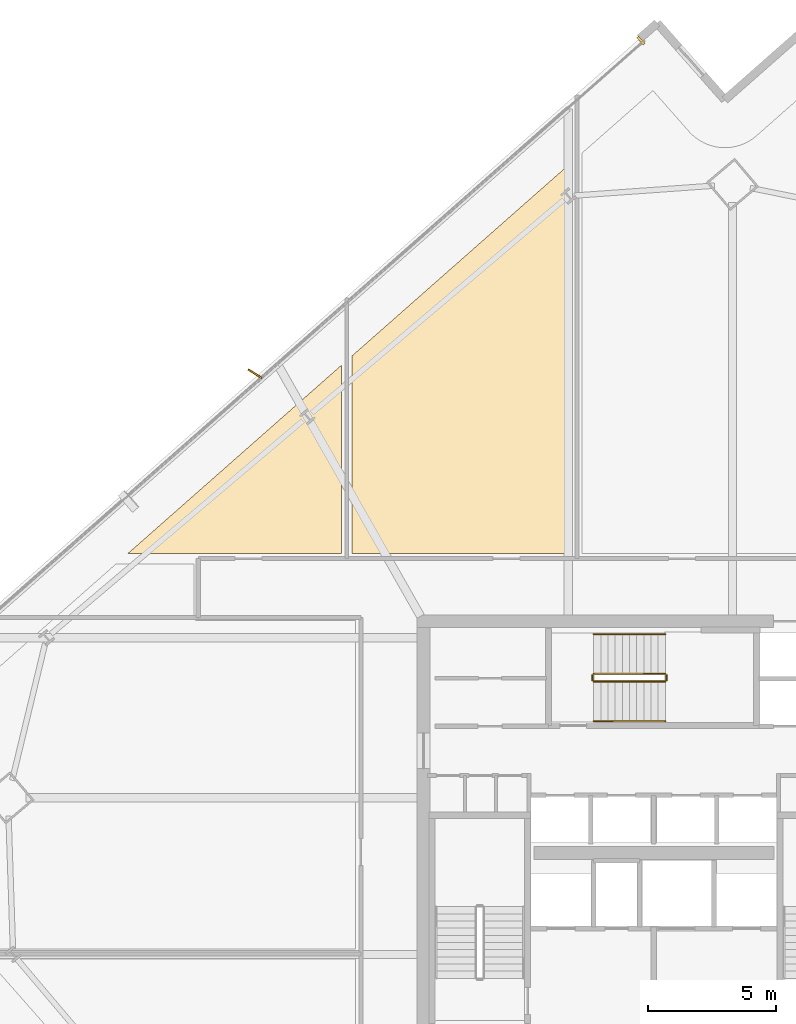
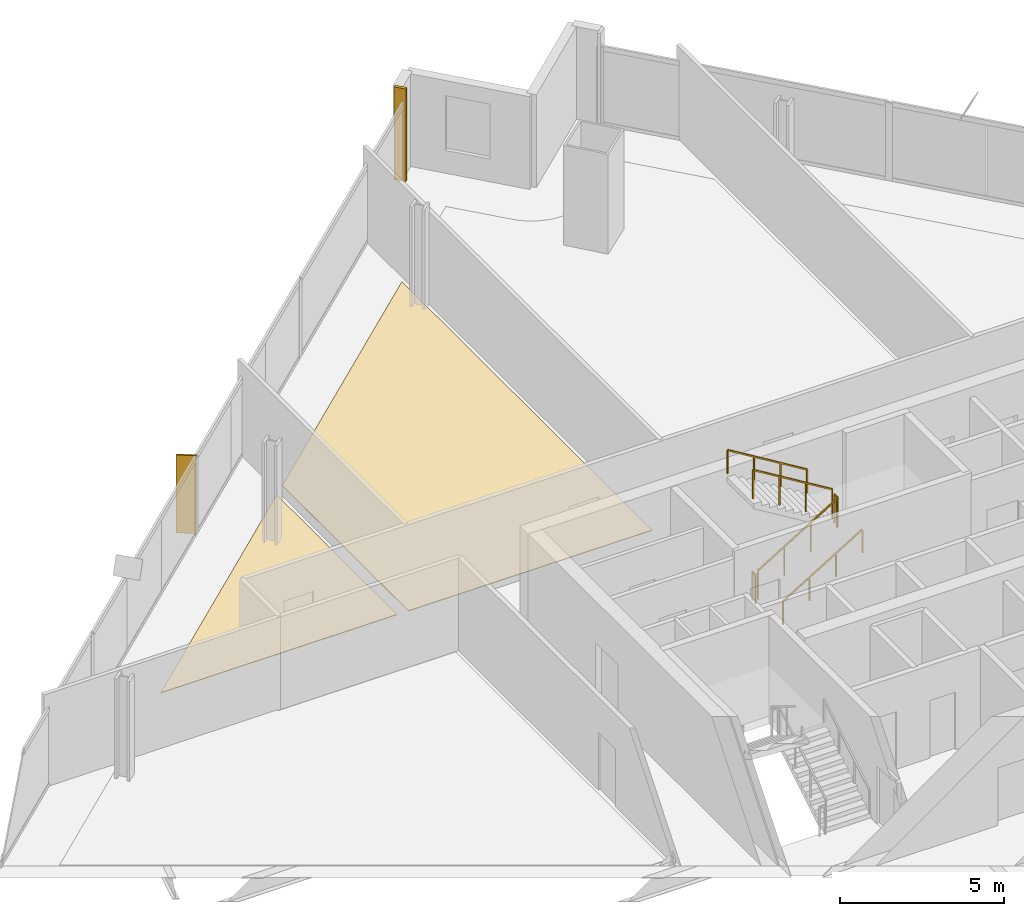
# One storey, part 33 of 34: 6 railings, 3 coverings, 1 shading device.
"""IFC4 building model written with IfcOpenShell, lengths in metres."""

import ifcopenshell
import ifcopenshell.guid

model = None  # the IFC model being written
_history = None  # IfcOwnerHistory: only IFC2X3 demands one
_inside = {}  # id of a spatial element -> (the spatial element, [elements in it])
_under = {}  # id of a project, library or spatial element -> (it, [spatial elements below it])
_declared = {}  # id of a project -> (the project, [libraries it declares])
_typed = {}  # id of a type object -> (the type object, [elements of that type])
_made_of = {}  # id of a material, layer set ... -> (it, [elements and type objects made of it])


def new_model(schema):
    """Start an empty IFC model of exactly this schema.

    Asked for "IFC4X3", IfcOpenShell would pick the latest addendum, in which some entities
    have other attributes; the version numbers below select the first issue.
    IFC2X3 requires an IfcOwnerHistory on every rooted entity: one is made here for all.
    """
    global model, _history
    if schema == "IFC4X3":
        model = ifcopenshell.file(schema_version=(4, 3, 0, 0))
    else:
        model = ifcopenshell.file(schema=schema)
    _inside.clear()
    _under.clear()
    _declared.clear()
    _typed.clear()
    _made_of.clear()
    _history = None
    if model.schema == "IFC2X3":
        org = make("IfcOrganization", Name="unknown")
        user = make(
            "IfcPersonAndOrganization",
            ThePerson=make("IfcPerson", FamilyName="unknown"),
            TheOrganization=org,
        )
        app = make(
            "IfcApplication",
            ApplicationDeveloper=org,
            Version="unknown",
            ApplicationFullName="unknown",
            ApplicationIdentifier="unknown",
        )
        _history = make(
            "IfcOwnerHistory",
            OwningUser=user,
            OwningApplication=app,
            ChangeAction="ADDED",
            CreationDate=0,
        )
    return model


def make(cls, **values):
    """One entity of the class cls with the attributes given. An attribute that is None is left unset."""
    return model.create_entity(
        cls, **{name: value for name, value in values.items() if value is not None}
    )


def rooted(cls, **values):
    """An entity with a GlobalId (a new one), such as an element, a storey or a relation."""
    return make(cls, GlobalId=ifcopenshell.guid.new(), OwnerHistory=_history, **values)


def si_unit(unit_type, name, prefix=None):
    """IfcSIUnit, for example si_unit("LENGTHUNIT", "METRE", prefix="MILLI")."""
    return make("IfcSIUnit", UnitType=unit_type, Prefix=prefix, Name=name)


def assignment(units):
    """IfcUnitAssignment: the units of a project."""
    return None if units is None else make("IfcUnitAssignment", Units=units)


def point(xyz):
    """IfcCartesianPoint."""
    return None if xyz is None else make("IfcCartesianPoint", Coordinates=xyz)


def direction(xyz):
    """IfcDirection."""
    return None if xyz is None else make("IfcDirection", DirectionRatios=xyz)


def frame(location, z_axis=None, x_axis=None):
    """IfcAxis2Placement3D, a coordinate frame: its origin and axes. An axis left out is left unset."""
    return make(
        "IfcAxis2Placement3D",
        Location=point(location),
        Axis=direction(z_axis),
        RefDirection=direction(x_axis),
    )


def frame_2d(location, x_axis=None):
    """IfcAxis2Placement2D, a coordinate frame in the plane: its origin and x axis."""
    return make(
        "IfcAxis2Placement2D", Location=point(location), RefDirection=direction(x_axis)
    )


def origin():
    """The frame at (0, 0, 0) with its axes left unset."""
    return frame((0.0, 0.0, 0.0))


def origin_2d():
    """The frame at (0, 0) in the plane with its x axis left unset."""
    return frame_2d((0.0, 0.0))


def place(relative_to, where):
    """IfcLocalPlacement: puts the frame where relative to a parent placement (None: the world)."""
    return make(
        "IfcLocalPlacement", PlacementRelTo=relative_to, RelativePlacement=where
    )


def context(
    kind, dimensions, precision=None, world=None, true_north=None, identifier=None
):
    """IfcGeometricRepresentationContext, for example the 3D "Model" context."""
    return make(
        "IfcGeometricRepresentationContext",
        ContextIdentifier=identifier,
        ContextType=kind,
        CoordinateSpaceDimension=dimensions,
        Precision=precision,
        WorldCoordinateSystem=world,
        TrueNorth=true_north,
    )


def subcontext(parent, identifier, kind, view, scale=None):
    """IfcGeometricRepresentationSubContext, for example "Body" below "Model"."""
    return make(
        "IfcGeometricRepresentationSubContext",
        ContextIdentifier=identifier,
        ContextType=kind,
        ParentContext=parent,
        TargetScale=scale,
        TargetView=view,
    )


def project(units=None, contexts=None):
    """IfcProject with its units and contexts."""
    return rooted(
        "IfcProject",
        Name="project",
        RepresentationContexts=contexts,
        UnitsInContext=assignment(units),
    )


def spatial(cls, under=None, at=None, **own):
    """A site, building, storey or space (cls), placed at a placement, below another one or the project."""
    s = rooted(cls, ObjectPlacement=at, **own)
    if under is not None:
        _under.setdefault(under.id(), (under, []))[1].append(s)
    return s


def polyline(points):
    """IfcPolyline through the points."""
    return make("IfcPolyline", Points=[point(p) for p in points])


def profile(cls, at=None, kind="AREA", **sizes):
    """A parametric profile (cls). Its sizes go by their IFC names, for example OverallWidth=200.0."""
    return make(cls, ProfileType=kind, Position=at, **sizes)


def rectangle(**sizes):
    """IfcRectangleProfileDef."""
    return profile("IfcRectangleProfileDef", **sizes)


def outline(outer, holes=None, kind="AREA"):
    """IfcArbitraryClosedProfileDef: a profile drawn as a closed curve; with holes, ...WithVoids."""
    if holes is None:
        return make("IfcArbitraryClosedProfileDef", ProfileType=kind, OuterCurve=outer)
    return make(
        "IfcArbitraryProfileDefWithVoids",
        ProfileType=kind,
        OuterCurve=outer,
        InnerCurves=holes,
    )


def extrude(swept, where, along, depth):
    """IfcExtrudedAreaSolid: the profile swept, set in the frame where, extruded along a direction by depth."""
    return make(
        "IfcExtrudedAreaSolid",
        SweptArea=swept,
        Position=where,
        ExtrudedDirection=direction(along),
        Depth=depth,
    )


def shape(context_of_items, identifier, shape_type, items):
    """IfcShapeRepresentation: the items that make up one representation, for example the "Body"."""
    return make(
        "IfcShapeRepresentation",
        ContextOfItems=context_of_items,
        RepresentationIdentifier=identifier,
        RepresentationType=shape_type,
        Items=items,
    )


def source(mapping_origin, context_of_items, identifier, shape_type, items):
    """IfcRepresentationMap: a shape defined once, which mapped items show again and again."""
    return make(
        "IfcRepresentationMap",
        MappingOrigin=mapping_origin,
        MappedRepresentation=shape(context_of_items, identifier, shape_type, items),
    )


def transform(
    local_origin,
    x_axis=None,
    y_axis=None,
    z_axis=None,
    scale=None,
    scale2=None,
    scale3=None,
    uniform=True,
):
    """IfcCartesianTransformationOperator3D, or its non-uniform kind. x_axis, y_axis, z_axis: its Axis1, 2, 3."""
    if uniform:
        return make(
            "IfcCartesianTransformationOperator3D",
            Axis1=direction(x_axis),
            Axis2=direction(y_axis),
            LocalOrigin=point(local_origin),
            Scale=scale,
            Axis3=direction(z_axis),
        )
    return make(
        "IfcCartesianTransformationOperator3DnonUniform",
        Axis1=direction(x_axis),
        Axis2=direction(y_axis),
        LocalOrigin=point(local_origin),
        Scale=scale,
        Axis3=direction(z_axis),
        Scale2=scale2,
        Scale3=scale3,
    )


def mapped(mapping_source, mapping_target):
    """IfcMappedItem: shows the shape of a source again, moved by a transform."""
    return make(
        "IfcMappedItem", MappingSource=mapping_source, MappingTarget=mapping_target
    )


def material(Name=None, Category=None):
    """IfcMaterial."""
    return make("IfcMaterial", Name=Name, Category=Category)


def layer(
    of_material, thickness, ventilated=None, Name=None, Category=None, Priority=None
):
    """IfcMaterialLayer: one layer of a wall or slab, of a material (None: an air gap)."""
    return make(
        "IfcMaterialLayer",
        Material=of_material,
        LayerThickness=thickness,
        IsVentilated=ventilated,
        Name=Name,
        Category=Category,
        Priority=Priority,
    )


def layer_set(layers, Name=None):
    """IfcMaterialLayerSet."""
    return make("IfcMaterialLayerSet", MaterialLayers=layers, LayerSetName=Name)


def made_of(thing, what):
    """Note that an element or type object is made of a material, layer set ...; save() writes the relation."""
    if what is not None:
        _made_of.setdefault(what.id(), (what, []))[1].append(thing)
    return thing


def type_object(cls, material=None, **own):
    """A type object (cls), such as IfcWallType, which elements share."""
    return made_of(rooted(cls, **own), material)


def element(
    cls,
    number,
    at=None,
    inside=None,
    cuts=None,
    type_object=None,
    material=None,
    context=None,
    identifier="Body",
    shape_type=None,
    held_by="IfcProductDefinitionShape",
    body=None,
    shapes=None,
    **own,
):
    """One element of the class cls, such as IfcWall. Its Tag is "e" and its number.

    at: its placement. inside: the storey or other place that contains it. cuts: it is an
    opening in that element (IfcRelVoidsElement). A single representation is given by context,
    identifier, shape_type and body (its items); several are given by shapes. held_by: the class
    of the entity that holds the representations. save() writes the other relations.
    """
    e = rooted(cls, Tag="e%d" % number, ObjectPlacement=at, **own)
    if body is not None:
        shapes = [shape(context, identifier, shape_type, body)]
    if shapes is not None:
        e.Representation = make(held_by, Representations=shapes)
    if inside is not None:
        _inside.setdefault(inside.id(), (inside, []))[1].append(e)
    if cuts is not None:
        rooted(
            "IfcRelVoidsElement", RelatingBuildingElement=cuts, RelatedOpeningElement=e
        )
    if type_object is not None:
        _typed.setdefault(type_object.id(), (type_object, []))[1].append(e)
    return made_of(e, material)


def aggregate(whole, parts):
    """IfcRelAggregates: a whole, such as a stair, and the parts it consists of."""
    return rooted("IfcRelAggregates", RelatingObject=whole, RelatedObjects=parts)


def save(model, path):
    """Write the relations noted so far, then the file.

    IfcRelAggregates (storeys below a building ...), IfcRelContainedInSpatialStructure (elements
    in a storey), IfcRelDefinesByType, IfcRelAssociatesMaterial and IfcRelDeclares: one each for
    every whole, place, type object, material and project.
    """
    for whole, parts in _under.values():
        aggregate(whole, parts)
    for where, things in _inside.values():
        rooted(
            "IfcRelContainedInSpatialStructure",
            RelatedElements=things,
            RelatingStructure=where,
        )
    for kind, things in _typed.values():
        rooted("IfcRelDefinesByType", RelatedObjects=things, RelatingType=kind)
    for what, things in _made_of.values():
        rooted("IfcRelAssociatesMaterial", RelatedObjects=things, RelatingMaterial=what)
    for by, libraries in _declared.values():
        rooted("IfcRelDeclares", RelatingContext=by, RelatedDefinitions=libraries)
    model.write(path)


model = new_model("IFC4")

# Units and contexts
model_context = context("Model", 3, precision=1e-05, world=origin(), true_north=direction((0.0, 1.0)))
body_context = subcontext(model_context, "Body", "Model", "MODEL_VIEW")
ifc_project = project(units=[si_unit("LENGTHUNIT", "METRE"), si_unit("AREAUNIT", "SQUARE_METRE"), si_unit("VOLUMEUNIT", "CUBIC_METRE"), si_unit("PLANEANGLEUNIT", "RADIAN"), si_unit("MASSUNIT", "GRAM", prefix="KILO")], contexts=[model_context])

# Site, building, storey
site_placement = place(None, origin())
site = spatial("IfcSite", under=ifc_project, at=site_placement, CompositionType="ELEMENT")
building_placement = place(site_placement, origin())
building = spatial("IfcBuilding", under=site, at=building_placement, Name="Haldenkirk Collegiate Tower", CompositionType="ELEMENT")
storey_placement = place(building_placement, frame((0.0, 0.0, 166.949951171875)))
storey = spatial("IfcBuildingStorey", under=building, at=storey_placement, Name="L41", CompositionType="ELEMENT", Elevation=166.949951171875)

# Coverings
ifc_material_1 = material(Name="Polished collegiate terrazzo", Category="concrete")
ifc_layer_1 = layer(ifc_material_1, 0.02490234375)
ifc_layer_set_1 = layer_set([ifc_layer_1], Name="Polished collegiate terrazzo")
covering_type_1 = type_object("IfcCoveringType", Name="COV-FLOOR-TERRAZZO", PredefinedType="FLOORING", material=ifc_layer_set_1)
covering_1_placement = place(storey_placement, origin())
element("IfcCovering", 1, at=covering_1_placement, inside=storey, type_object=covering_type_1, Name="L41 academic room finish 04", PredefinedType="FLOORING", context=body_context, shape_type="SweptSolid", body=[
    extrude(outline(polyline([(23.800048828125, 44.01318359375), (23.800048828125, 36.64990234375), (15.447998046875, 36.64990234375), (23.800048828125, 44.01318359375)])), origin(), (0.0, 0.0, 1.0), 0.025146484375),
])
ifc_material_2 = material(Name="Engineered collegiate oak acoustic flooring", Category="wood")
ifc_layer_2 = layer(ifc_material_2, 0.02197265625)
ifc_layer_set_2 = layer_set([ifc_layer_2], Name="Engineered collegiate oak acoustic flooring")
covering_type_2 = type_object("IfcCoveringType", Name="COV-FLOOR-TIMBER", PredefinedType="FLOORING", material=ifc_layer_set_2)
covering_2_placement = place(storey_placement, origin())
element("IfcCovering", 2, at=covering_2_placement, inside=storey, type_object=covering_type_2, Name="L41 academic room finish 05", PredefinedType="FLOORING", context=body_context, shape_type="SweptSolid", body=[
    extrude(outline(polyline([(32.800048828125, 51.947998046875), (32.800048828125, 36.64990234375), (24.199951171875, 36.64990234375), (24.199951171875, 44.365966796875), (32.800048828125, 51.947998046875)])), origin(), (0.0, 0.0, 1.0), 0.02197265625),
])

# Railings
ifc_material_3 = material(Name="Painted architectural tubular steel", Category="steel")
railing_type_1 = type_object("IfcRailingType", Name="RLG-STAIR-GUARD-1100", PredefinedType="BALUSTRADE", material=ifc_material_3)
railing_1_placement = place(storey_placement, frame((33.64990234375, 31.64990234375, 0.17041015625)))
element("IfcRailing", 3, at=railing_1_placement, inside=storey, type_object=railing_type_1, Name="L41 ST-3 stair guard 1", PredefinedType="BALUSTRADE", context=body_context, shape_type="SweptSolid", body=[
    extrude(rectangle(XDim=0.048095703125, YDim=0.048095703125, at=origin_2d()), frame((0.0, 0.0, 1.076171875), z_axis=(0.854169791009, 0.0, 0.51999420009), x_axis=(0.0, 1.0, 0.0)), (0.0, 0.0, 1.0), 3.278076171875),
    extrude(rectangle(XDim=0.0419921875, YDim=0.0419921875, at=origin_2d()), origin(), (0.0, 0.0, 1.0), 1.052001953125),
    extrude(rectangle(XDim=0.0419921875, YDim=0.0419921875, at=origin_2d()), frame((0.933349609375, 0.0, 0.568115234375)), (0.0, 0.0, 1.0), 1.052001953125),
    extrude(rectangle(XDim=0.0419921875, YDim=0.0419921875, at=origin_2d()), frame((1.86669921875, 0.0, 1.136474609375)), (0.0, 0.0, 1.0), 1.052001953125),
    extrude(rectangle(XDim=0.0419921875, YDim=0.0419921875, at=origin_2d()), frame((2.800048828125, 0.0, 1.70458984375)), (0.0, 0.0, 1.0), 1.052001953125),
])
railing_2_placement = place(storey_placement, frame((36.5, 31.699951171875, 1.875)))
element("IfcRailing", 4, at=railing_2_placement, inside=storey, type_object=railing_type_1, Name="L41 ST-3 stair guard 2", PredefinedType="BALUSTRADE", context=body_context, shape_type="SweptSolid", body=[
    extrude(rectangle(XDim=0.048095703125, YDim=0.048095703125, at=origin_2d()), frame((0.0, 0.0, 1.076171875), z_axis=(0.0, 1.0, 0.0), x_axis=(-1.0, 0.0, 0.0)), (0.0, 0.0, 1.0), 0.199951171875),
    extrude(rectangle(XDim=0.0419921875, YDim=0.0419921875, at=origin_2d()), origin(), (0.0, 0.0, 1.0), 1.052001953125),
    extrude(rectangle(XDim=0.0419921875, YDim=0.0419921875, at=origin_2d()), frame((0.0, 0.199951171875, 0.0)), (0.0, 0.0, 1.0), 1.052001953125),
])
railing_3_placement = place(storey_placement, frame((36.449951171875, 31.949951171875, 2.04541015625)))
element("IfcRailing", 5, at=railing_3_placement, inside=storey, type_object=railing_type_1, Name="L41 ST-3 stair guard 3", PredefinedType="BALUSTRADE", context=body_context, shape_type="SweptSolid", body=[
    extrude(rectangle(XDim=0.048095703125, YDim=0.048095703125, at=origin_2d()), frame((0.0, 0.0, 1.076171875), z_axis=(-0.854169791009, 0.0, 0.51999420009), x_axis=(0.0, -1.0, 0.0)), (0.0, 0.0, 1.0), 3.278076171875),
    extrude(rectangle(XDim=0.0419921875, YDim=0.0419921875, at=origin_2d()), origin(), (0.0, 0.0, 1.0), 1.052001953125),
    extrude(rectangle(XDim=0.0419921875, YDim=0.0419921875, at=origin_2d()), frame((-0.933349609375, 0.0, 0.568115234375)), (0.0, 0.0, 1.0), 1.052001953125),
    extrude(rectangle(XDim=0.0419921875, YDim=0.0419921875, at=origin_2d()), frame((-1.86669921875, 0.0, 1.136474609375)), (0.0, 0.0, 1.0), 1.052001953125),
    extrude(rectangle(XDim=0.0419921875, YDim=0.0419921875, at=origin_2d()), frame((-2.800048828125, 0.0, 1.70458984375)), (0.0, 0.0, 1.0), 1.052001953125),
])
railing_4_placement = place(storey_placement, frame((33.60009765625, 31.699951171875, 0.0)))
element("IfcRailing", 6, at=railing_4_placement, inside=storey, type_object=railing_type_1, Name="L41 ST-3 stair guard 4", PredefinedType="BALUSTRADE", context=body_context, shape_type="SweptSolid", body=[
    extrude(rectangle(XDim=0.048095703125, YDim=0.048095703125, at=origin_2d()), frame((0.0, 0.0, 1.076171875), z_axis=(0.0, 1.0, 0.0), x_axis=(-1.0, 0.0, 0.0)), (0.0, 0.0, 1.0), 0.199951171875),
    extrude(rectangle(XDim=0.0419921875, YDim=0.0419921875, at=origin_2d()), origin(), (0.0, 0.0, 1.0), 1.052001953125),
    extrude(rectangle(XDim=0.0419921875, YDim=0.0419921875, at=origin_2d()), frame((0.0, 0.199951171875, 0.0)), (0.0, 0.0, 1.0), 1.052001953125),
])
railing_type_2 = type_object("IfcRailingType", Name="RLG-STAIR-HANDRAIL-900", PredefinedType="HANDRAIL", material=ifc_material_3)
railing_5_placement = place(storey_placement, frame((33.64990234375, 30.10009765625, 0.17041015625)))
element("IfcRailing", 7, at=railing_5_placement, inside=storey, type_object=railing_type_2, Name="L41 ST-3 stair handrail 1", PredefinedType="HANDRAIL", context=body_context, shape_type="SweptSolid", body=[
    extrude(rectangle(XDim=0.048095703125, YDim=0.048095703125, at=origin_2d()), frame((0.0, 0.0, 0.8759765625), z_axis=(0.854169791009, 0.0, 0.51999420009), x_axis=(0.0, 1.0, 0.0)), (0.0, 0.0, 1.0), 3.278076171875),
    extrude(rectangle(XDim=0.0419921875, YDim=0.0419921875, at=origin_2d()), origin(), (0.0, 0.0, 1.0), 0.851806640625),
    extrude(rectangle(XDim=0.0419921875, YDim=0.0419921875, at=origin_2d()), frame((0.933349609375, 0.0, 0.568115234375)), (0.0, 0.0, 1.0), 0.851806640625),
    extrude(rectangle(XDim=0.0419921875, YDim=0.0419921875, at=origin_2d()), frame((1.86669921875, 0.0, 1.136474609375)), (0.0, 0.0, 1.0), 0.851806640625),
    extrude(rectangle(XDim=0.0419921875, YDim=0.0419921875, at=origin_2d()), frame((2.800048828125, 0.0, 1.70458984375)), (0.0, 0.0, 1.0), 0.851806640625),
])
railing_6_placement = place(storey_placement, frame((36.449951171875, 33.5, 2.04541015625)))
element("IfcRailing", 8, at=railing_6_placement, inside=storey, type_object=railing_type_2, Name="L41 ST-3 stair handrail 2", PredefinedType="HANDRAIL", context=body_context, shape_type="SweptSolid", body=[
    extrude(rectangle(XDim=0.048095703125, YDim=0.048095703125, at=origin_2d()), frame((0.0, 0.0, 0.8759765625), z_axis=(-0.854169791009, 0.0, 0.51999420009), x_axis=(0.0, -1.0, 0.0)), (0.0, 0.0, 1.0), 3.278076171875),
    extrude(rectangle(XDim=0.0419921875, YDim=0.0419921875, at=origin_2d()), origin(), (0.0, 0.0, 1.0), 0.851806640625),
    extrude(rectangle(XDim=0.0419921875, YDim=0.0419921875, at=origin_2d()), frame((-0.933349609375, 0.0, 0.568115234375)), (0.0, 0.0, 1.0), 0.851806640625),
    extrude(rectangle(XDim=0.0419921875, YDim=0.0419921875, at=origin_2d()), frame((-1.86669921875, 0.0, 1.136474609375)), (0.0, 0.0, 1.0), 0.851806640625),
    extrude(rectangle(XDim=0.0419921875, YDim=0.0419921875, at=origin_2d()), frame((-2.800048828125, 0.0, 1.70458984375)), (0.0, 0.0, 1.0), 0.851806640625),
])

# Covering
ifc_material_4 = material(Name="Anodised architectural bronze aluminium", Category="aluminium")
ifc_layer_3 = layer(ifc_material_4, 0.06005859375)
ifc_layer_set_3 = layer_set([ifc_layer_3], Name="Anodised architectural bronze aluminium")
covering_type_3 = type_object("IfcCoveringType", Name="COV-CLAD-BRONZE-60", PredefinedType="CLADDING", material=ifc_layer_set_3)
shared_shape_1 = source(origin(), body_context, "Body", "SweptSolid", [
    extrude(rectangle(XDim=0.10009765625, YDim=0.3798828125, at=origin_2d()), origin(), (0.0, 0.0, 1.0), 3.4599609375),
])
covering_3_placement = place(storey_placement, frame((35.493896484375, 56.696044921875, 0.0), z_axis=(0.0, 0.0, 1.0), x_axis=(0.75011106963, 0.661311865324, 0.0)))
element("IfcCovering", 9, at=covering_3_placement, inside=storey, type_object=covering_type_3, Name="L41 recessed curtain-wall bronze jamb closure NJR", PredefinedType="CLADDING", context=body_context, shape_type="MappedRepresentation", body=[
    mapped(shared_shape_1, transform((0.0, 0.0, 0.0), x_axis=(1.0, 0.0, 0.0), y_axis=(0.0, 1.0, 0.0), z_axis=(0.0, 0.0, 1.0), scale=1.0)),
])

# Shading device
ifc_layer_4 = layer(ifc_material_4, 0.06494140625)
ifc_layer_set_4 = layer_set([ifc_layer_4], Name="Anodised architectural bronze aluminium")
shading_device_type = type_object("IfcShadingDeviceType", Name="SHD-FIN-BRONZE-620", PredefinedType="USERDEFINED", material=ifc_layer_set_4)
shared_shape_2 = source(origin(), body_context, "Body", "SweptSolid", [
    extrude(rectangle(XDim=0.6201171875, YDim=0.06494140625, at=origin_2d()), origin(), (0.0, 0.0, 1.0), 2.910888671875),
])
shading_device_placement = place(storey_placement, frame((20.416259765625, 43.676513671875, 0.0), z_axis=(0.0, 0.0, 1.0), x_axis=(-0.842452397007, 0.538770785007, 0.0)))
element("IfcShadingDevice", 10, at=shading_device_placement, inside=storey, type_object=shading_device_type, Name="L41 folded bronze solar fin 1", ObjectType="FIN", PredefinedType="USERDEFINED", context=body_context, shape_type="MappedRepresentation", body=[
    mapped(shared_shape_2, transform((0.0, 0.0, 0.0), x_axis=(1.0, 0.0, 0.0), y_axis=(0.0, 1.0, 0.0), z_axis=(0.0, 0.0, 1.0), scale=1.0)),
])

save(model, "model.ifc")
